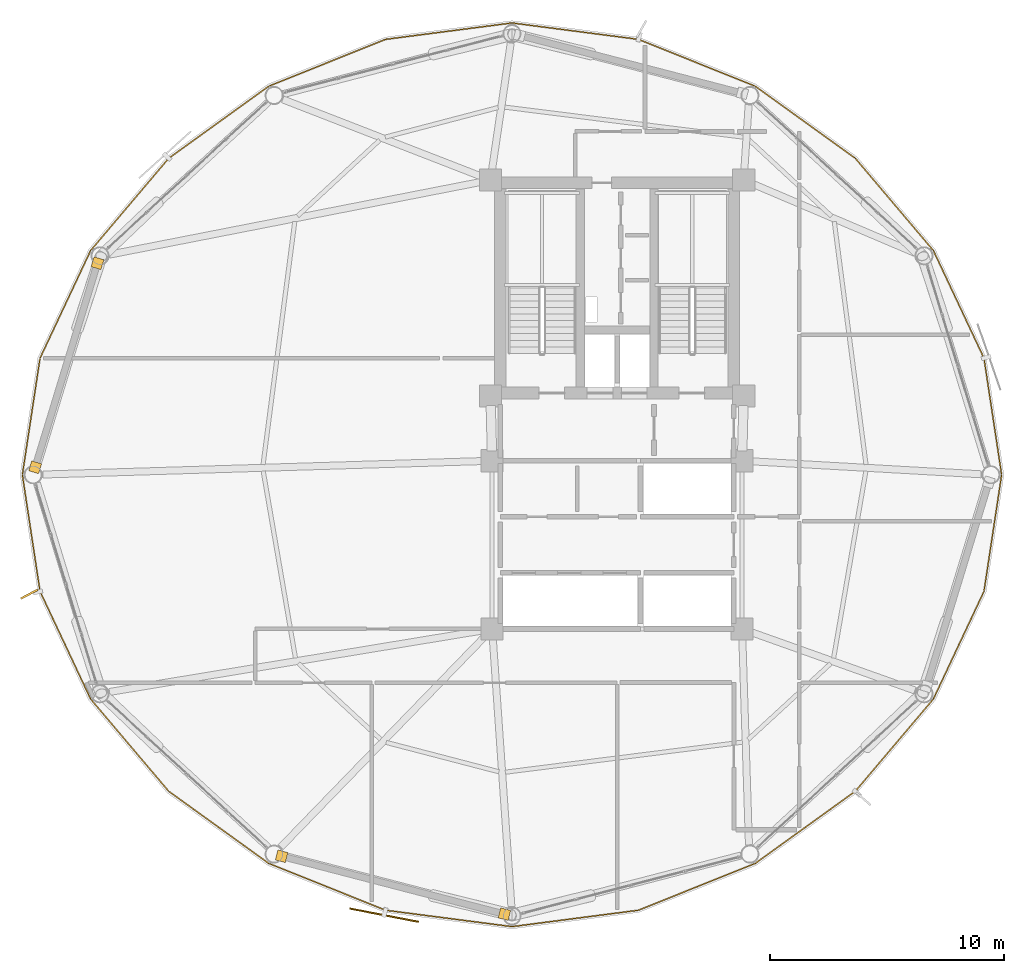
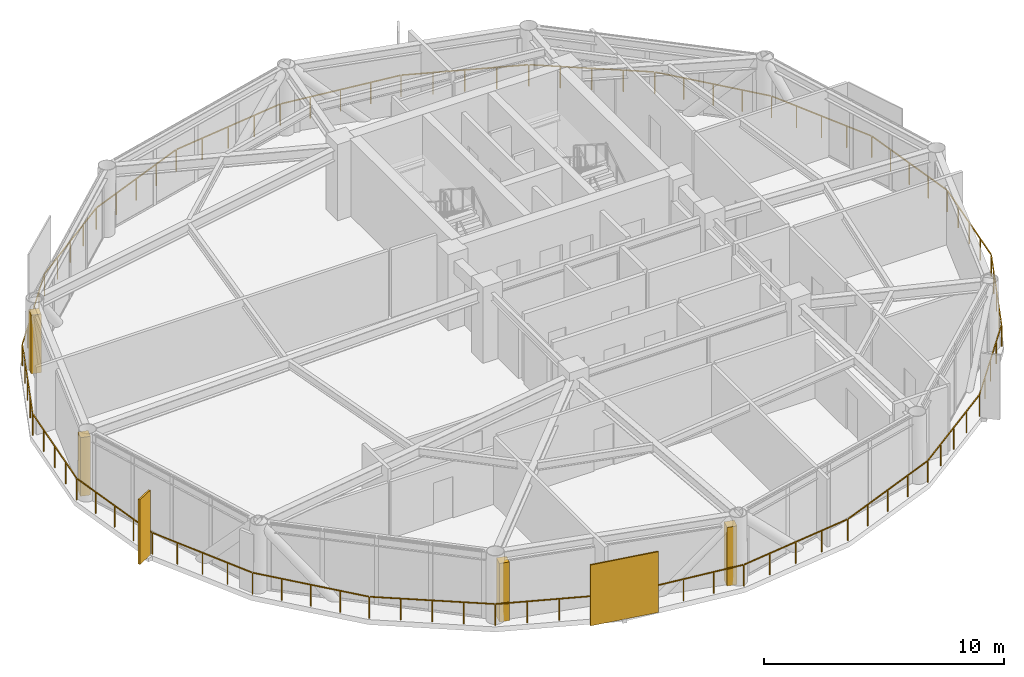
# One storey, part 24 of 26: 4 coverings, 2 shading devices, 1 railing.
"""IFC4 building model written with IfcOpenShell, lengths in metres."""

from ifc_helpers import new_model, si_unit, direction, frame, origin, origin_2d, place, context, subcontext, project, spatial, rectangle, extrude, source, transform, mapped, material, layer, layer_set, type_object, type_shapes, element, save


model = new_model("IFC4")

# Units and contexts
model_context = context("Model", 3, precision=1e-05, world=origin(), true_north=direction((0.0, 1.0)))
body_context = subcontext(model_context, "Body", "Model", "MODEL_VIEW")
ifc_project = project(units=[si_unit("LENGTHUNIT", "METRE"), si_unit("AREAUNIT", "SQUARE_METRE"), si_unit("VOLUMEUNIT", "CUBIC_METRE"), si_unit("PLANEANGLEUNIT", "RADIAN"), si_unit("MASSUNIT", "GRAM", prefix="KILO")], contexts=[model_context])

# Site, building, storey
site_placement = place(None, origin())
site = spatial("IfcSite", under=ifc_project, at=site_placement, CompositionType="ELEMENT")
building_placement = place(site_placement, origin())
building = spatial("IfcBuilding", under=site, at=building_placement, Name="Varnakorn Sky Granary", CompositionType="ELEMENT")
storey_placement = place(building_placement, frame((0.0, 0.0, 165.60009765625)))
storey = spatial("IfcBuildingStorey", under=building, at=storey_placement, Name="L41", CompositionType="ELEMENT", Elevation=165.60009765625)

# Railing
ifc_material = material(Name="Anodised Bronze Aluminium Alloy 6063-T6", Category="aluminium")
railing_type = type_object("IfcRailingType", Name="RL-BAL-1120", PredefinedType="BALUSTRADE", material=ifc_material)
railing_placement = place(storey_placement, frame((19.4658203125, 0.0, 0.0)))
element("IfcRailing", 1, at=railing_placement, inside=storey, type_object=railing_type, Name="Perimeter Slab-Edge Safety Guard L41", PredefinedType="BALUSTRADE", context=body_context, shape_type="SweptSolid", body=[
    extrude(rectangle(XDim=0.048095703125, YDim=0.048095703125, at=origin_2d()), frame((-0.004150390625, -0.027587890625, 1.09619140625), z_axis=(-0.149884153418, -0.988703565562, 0.0), x_axis=(0.988703565562, -0.149884153418, 0.0)), (0.0, 0.0, 1.0), 4.993408203125),
    extrude(rectangle(XDim=0.048095703125, YDim=0.048095703125, at=origin_2d()), frame((-0.768798828125, -5.017822265625, 1.09619140625), z_axis=(-0.425319129806, -0.905043445267, 0.0), x_axis=(0.905043445267, -0.425319129806, 0.0)), (0.0, 0.0, 1.0), 5.037353515625),
    extrude(rectangle(XDim=0.048095703125, YDim=0.048095703125, at=origin_2d()), frame((-2.941162109375, -9.62353515625, 1.09619140625), z_axis=(-0.64602898165, -0.763312881372, 0.0), x_axis=(0.763312881372, -0.64602898165, 0.0)), (0.0, 0.0, 1.0), 5.116943359375),
    extrude(rectangle(XDim=0.048095703125, YDim=0.048095703125, at=origin_2d()), frame((-6.28759765625, -13.56689453125, 1.09619140625), z_axis=(-0.811301853092, -0.584627490946, 0.0), x_axis=(0.584627490946, -0.811301853092, 0.0)), (0.0, 0.0, 1.0), 5.2236328125),
    extrude(rectangle(XDim=0.048095703125, YDim=0.048095703125, at=origin_2d()), frame((-10.57421875, -16.647705078125, 1.09619140625), z_axis=(-0.928079426503, -0.372382301005, 0.0), x_axis=(0.372382301005, -0.928079426503, 0.0)), (0.0, 0.0, 1.0), 5.333740234375),
    extrude(rectangle(XDim=0.048095703125, YDim=0.048095703125, at=origin_2d()), frame((-15.578369140625, -18.64794921875, 1.09619140625), z_axis=(-0.991681488675, -0.128716063563, 0.0), x_axis=(0.128716063563, -0.991681488675, 0.0)), (0.0, 0.0, 1.0), 5.40478515625),
    extrude(rectangle(XDim=0.048095703125, YDim=0.048095703125, at=origin_2d()), frame((-20.99365234375, -19.343505859375, 1.09619140625), z_axis=(-0.991681488675, 0.128716063563, 0.0), x_axis=(-0.128716063563, -0.991681488675, 0.0)), (0.0, 0.0, 1.0), 5.40478515625),
    extrude(rectangle(XDim=0.048095703125, YDim=0.048095703125, at=origin_2d()), frame((-26.406982421875, -18.6337890625, 1.09619140625), z_axis=(-0.928079426503, 0.372382301005, 0.0), x_axis=(-0.372382301005, -0.928079426503, 0.0)), (0.0, 0.0, 1.0), 5.333740234375),
    extrude(rectangle(XDim=0.048095703125, YDim=0.048095703125, at=origin_2d()), frame((-31.406005859375, -16.620849609375, 1.09619140625), z_axis=(-0.811301853092, 0.584627490946, 0.0), x_axis=(-0.584627490946, -0.811301853092, 0.0)), (0.0, 0.0, 1.0), 5.2236328125),
    extrude(rectangle(XDim=0.048095703125, YDim=0.048095703125, at=origin_2d()), frame((-35.684814453125, -13.529052734375, 1.09619140625), z_axis=(-0.64602898165, 0.763312881372, 0.0), x_axis=(-0.763312881372, -0.64602898165, 0.0)), (0.0, 0.0, 1.0), 5.116943359375),
    extrude(rectangle(XDim=0.048095703125, YDim=0.048095703125, at=origin_2d()), frame((-39.0205078125, -9.57666015625, 1.09619140625), z_axis=(-0.425319129806, 0.905043445267, 0.0), x_axis=(-0.905043445267, -0.425319129806, 0.0)), (0.0, 0.0, 1.0), 5.037353515625),
    extrude(rectangle(XDim=0.048095703125, YDim=0.048095703125, at=origin_2d()), frame((-41.178955078125, -4.96484375, 1.09619140625), z_axis=(-0.149884153418, 0.988703565562, 0.0), x_axis=(-0.988703565562, -0.149884153418, 0.0)), (0.0, 0.0, 1.0), 4.993408203125),
    extrude(rectangle(XDim=0.048095703125, YDim=0.048095703125, at=origin_2d()), frame((-41.927490234375, 0.027587890625, 1.09619140625), z_axis=(0.149884153418, 0.988703565562, 0.0), x_axis=(-0.988703565562, 0.149884153418, 0.0)), (0.0, 0.0, 1.0), 4.993408203125),
    extrude(rectangle(XDim=0.048095703125, YDim=0.048095703125, at=origin_2d()), frame((-41.162841796875, 5.017822265625, 1.09619140625), z_axis=(0.425319129806, 0.905043445267, 0.0), x_axis=(-0.905043445267, 0.425319129806, 0.0)), (0.0, 0.0, 1.0), 5.037353515625),
    extrude(rectangle(XDim=0.048095703125, YDim=0.048095703125, at=origin_2d()), frame((-38.990478515625, 9.62353515625, 1.09619140625), z_axis=(0.64602898165, 0.763312881372, 0.0), x_axis=(-0.763312881372, 0.64602898165, 0.0)), (0.0, 0.0, 1.0), 5.116943359375),
    extrude(rectangle(XDim=0.048095703125, YDim=0.048095703125, at=origin_2d()), frame((-35.64404296875, 13.56689453125, 1.09619140625), z_axis=(0.811301853092, 0.584627490946, 0.0), x_axis=(-0.584627490946, 0.811301853092, 0.0)), (0.0, 0.0, 1.0), 5.2236328125),
    extrude(rectangle(XDim=0.048095703125, YDim=0.048095703125, at=origin_2d()), frame((-31.357421875, 16.647705078125, 1.09619140625), z_axis=(0.928079426503, 0.372382301005, 0.0), x_axis=(-0.372382301005, 0.928079426503, 0.0)), (0.0, 0.0, 1.0), 5.333740234375),
    extrude(rectangle(XDim=0.048095703125, YDim=0.048095703125, at=origin_2d()), frame((-26.353271484375, 18.64794921875, 1.09619140625), z_axis=(0.991681488675, 0.128716063563, 0.0), x_axis=(-0.128716063563, 0.991681488675, 0.0)), (0.0, 0.0, 1.0), 5.40478515625),
    extrude(rectangle(XDim=0.048095703125, YDim=0.048095703125, at=origin_2d()), frame((-20.93798828125, 19.343505859375, 1.09619140625), z_axis=(0.991681488675, -0.128716063563, 0.0), x_axis=(0.128716063563, 0.991681488675, 0.0)), (0.0, 0.0, 1.0), 5.40478515625),
    extrude(rectangle(XDim=0.048095703125, YDim=0.048095703125, at=origin_2d()), frame((-15.524658203125, 18.6337890625, 1.09619140625), z_axis=(0.928079426503, -0.372382301005, 0.0), x_axis=(0.372382301005, 0.928079426503, 0.0)), (0.0, 0.0, 1.0), 5.333740234375),
    extrude(rectangle(XDim=0.048095703125, YDim=0.048095703125, at=origin_2d()), frame((-10.525634765625, 16.620849609375, 1.09619140625), z_axis=(0.811301853092, -0.584627490946, 0.0), x_axis=(0.584627490946, 0.811301853092, 0.0)), (0.0, 0.0, 1.0), 5.2236328125),
    extrude(rectangle(XDim=0.048095703125, YDim=0.048095703125, at=origin_2d()), frame((-6.246826171875, 13.529052734375, 1.09619140625), z_axis=(0.64602898165, -0.763312881372, 0.0), x_axis=(0.763312881372, 0.64602898165, 0.0)), (0.0, 0.0, 1.0), 5.116943359375),
    extrude(rectangle(XDim=0.048095703125, YDim=0.048095703125, at=origin_2d()), frame((-2.9111328125, 9.57666015625, 1.09619140625), z_axis=(0.425319129806, -0.905043445267, 0.0), x_axis=(0.905043445267, 0.425319129806, 0.0)), (0.0, 0.0, 1.0), 5.037353515625),
    extrude(rectangle(XDim=0.048095703125, YDim=0.048095703125, at=origin_2d()), frame((-0.752685546875, 4.96484375, 1.09619140625), z_axis=(0.149884153418, -0.988703565562, 0.0), x_axis=(0.988703565562, 0.149884153418, 0.0)), (0.0, 0.0, 1.0), 4.993408203125),
    extrude(rectangle(XDim=0.0419921875, YDim=0.0419921875, at=origin_2d()), origin(), (0.0, 0.0, 1.0), 1.068115234375),
    extrude(rectangle(XDim=0.0419921875, YDim=0.0419921875, at=origin_2d()), frame((-0.189208984375, -1.248046875, 0.0)), (0.0, 0.0, 1.0), 1.068115234375),
    extrude(rectangle(XDim=0.0419921875, YDim=0.0419921875, at=origin_2d()), frame((-0.37841796875, -2.49609375, 0.0)), (0.0, 0.0, 1.0), 1.068115234375),
    extrude(rectangle(XDim=0.0419921875, YDim=0.0419921875, at=origin_2d()), frame((-0.567626953125, -3.744384765625, 0.0)), (0.0, 0.0, 1.0), 1.068115234375),
    extrude(rectangle(XDim=0.0419921875, YDim=0.0419921875, at=origin_2d()), frame((-0.7568359375, -4.992431640625, 0.0)), (0.0, 0.0, 1.0), 1.068115234375),
    extrude(rectangle(XDim=0.0419921875, YDim=0.0419921875, at=origin_2d()), frame((-1.29833984375, -6.144775390625, 0.0)), (0.0, 0.0, 1.0), 1.068115234375),
    extrude(rectangle(XDim=0.0419921875, YDim=0.0419921875, at=origin_2d()), frame((-1.83984375, -7.29736328125, 0.0)), (0.0, 0.0, 1.0), 1.068115234375),
    extrude(rectangle(XDim=0.0419921875, YDim=0.0419921875, at=origin_2d()), frame((-2.381591796875, -8.44970703125, 0.0)), (0.0, 0.0, 1.0), 1.068115234375),
    extrude(rectangle(XDim=0.0419921875, YDim=0.0419921875, at=origin_2d()), frame((-2.923095703125, -9.60205078125, 0.0)), (0.0, 0.0, 1.0), 1.068115234375),
    extrude(rectangle(XDim=0.0419921875, YDim=0.0419921875, at=origin_2d()), frame((-3.758544921875, -10.589111328125, 0.0)), (0.0, 0.0, 1.0), 1.068115234375),
    extrude(rectangle(XDim=0.0419921875, YDim=0.0419921875, at=origin_2d()), frame((-4.593994140625, -11.576171875, 0.0)), (0.0, 0.0, 1.0), 1.068115234375),
    extrude(rectangle(XDim=0.0419921875, YDim=0.0419921875, at=origin_2d()), frame((-5.429443359375, -12.5634765625, 0.0)), (0.0, 0.0, 1.0), 1.068115234375),
    extrude(rectangle(XDim=0.0419921875, YDim=0.0419921875, at=origin_2d()), frame((-6.264892578125, -13.550537109375, 0.0)), (0.0, 0.0, 1.0), 1.068115234375),
    extrude(rectangle(XDim=0.0419921875, YDim=0.0419921875, at=origin_2d()), frame((-7.335693359375, -14.322265625, 0.0)), (0.0, 0.0, 1.0), 1.068115234375),
    extrude(rectangle(XDim=0.0419921875, YDim=0.0419921875, at=origin_2d()), frame((-8.40673828125, -15.09375, 0.0)), (0.0, 0.0, 1.0), 1.068115234375),
    extrude(rectangle(XDim=0.0419921875, YDim=0.0419921875, at=origin_2d()), frame((-9.4775390625, -15.865478515625, 0.0)), (0.0, 0.0, 1.0), 1.068115234375),
    extrude(rectangle(XDim=0.0419921875, YDim=0.0419921875, at=origin_2d()), frame((-10.54833984375, -16.63720703125, 0.0)), (0.0, 0.0, 1.0), 1.068115234375),
    extrude(rectangle(XDim=0.0419921875, YDim=0.0419921875, at=origin_2d()), frame((-11.798828125, -17.138916015625, 0.0)), (0.0, 0.0, 1.0), 1.068115234375),
    extrude(rectangle(XDim=0.0419921875, YDim=0.0419921875, at=origin_2d()), frame((-13.04931640625, -17.640625, 0.0)), (0.0, 0.0, 1.0), 1.068115234375),
    extrude(rectangle(XDim=0.0419921875, YDim=0.0419921875, at=origin_2d()), frame((-14.300048828125, -18.142578125, 0.0)), (0.0, 0.0, 1.0), 1.068115234375),
    extrude(rectangle(XDim=0.0419921875, YDim=0.0419921875, at=origin_2d()), frame((-15.550537109375, -18.644287109375, 0.0)), (0.0, 0.0, 1.0), 1.068115234375),
    extrude(rectangle(XDim=0.0419921875, YDim=0.0419921875, at=origin_2d()), frame((-16.904296875, -18.820068359375, 0.0)), (0.0, 0.0, 1.0), 1.068115234375),
    extrude(rectangle(XDim=0.0419921875, YDim=0.0419921875, at=origin_2d()), frame((-18.25830078125, -18.99560546875, 0.0)), (0.0, 0.0, 1.0), 1.068115234375),
    extrude(rectangle(XDim=0.0419921875, YDim=0.0419921875, at=origin_2d()), frame((-19.612060546875, -19.17138671875, 0.0)), (0.0, 0.0, 1.0), 1.068115234375),
    extrude(rectangle(XDim=0.0419921875, YDim=0.0419921875, at=origin_2d()), frame((-20.9658203125, -19.34716796875, 0.0)), (0.0, 0.0, 1.0), 1.068115234375),
    extrude(rectangle(XDim=0.0419921875, YDim=0.0419921875, at=origin_2d()), frame((-22.319580078125, -19.17138671875, 0.0)), (0.0, 0.0, 1.0), 1.068115234375),
    extrude(rectangle(XDim=0.0419921875, YDim=0.0419921875, at=origin_2d()), frame((-23.67333984375, -18.99560546875, 0.0)), (0.0, 0.0, 1.0), 1.068115234375),
    extrude(rectangle(XDim=0.0419921875, YDim=0.0419921875, at=origin_2d()), frame((-25.02734375, -18.820068359375, 0.0)), (0.0, 0.0, 1.0), 1.068115234375),
    extrude(rectangle(XDim=0.0419921875, YDim=0.0419921875, at=origin_2d()), frame((-26.381103515625, -18.644287109375, 0.0)), (0.0, 0.0, 1.0), 1.068115234375),
    extrude(rectangle(XDim=0.0419921875, YDim=0.0419921875, at=origin_2d()), frame((-27.631591796875, -18.142578125, 0.0)), (0.0, 0.0, 1.0), 1.068115234375),
    extrude(rectangle(XDim=0.0419921875, YDim=0.0419921875, at=origin_2d()), frame((-28.88232421875, -17.640625, 0.0)), (0.0, 0.0, 1.0), 1.068115234375),
    extrude(rectangle(XDim=0.0419921875, YDim=0.0419921875, at=origin_2d()), frame((-30.1328125, -17.138916015625, 0.0)), (0.0, 0.0, 1.0), 1.068115234375),
    extrude(rectangle(XDim=0.0419921875, YDim=0.0419921875, at=origin_2d()), frame((-31.38330078125, -16.63720703125, 0.0)), (0.0, 0.0, 1.0), 1.068115234375),
    extrude(rectangle(XDim=0.0419921875, YDim=0.0419921875, at=origin_2d()), frame((-32.4541015625, -15.865478515625, 0.0)), (0.0, 0.0, 1.0), 1.068115234375),
    extrude(rectangle(XDim=0.0419921875, YDim=0.0419921875, at=origin_2d()), frame((-33.52490234375, -15.09375, 0.0)), (0.0, 0.0, 1.0), 1.068115234375),
    extrude(rectangle(XDim=0.0419921875, YDim=0.0419921875, at=origin_2d()), frame((-34.595947265625, -14.322265625, 0.0)), (0.0, 0.0, 1.0), 1.068115234375),
    extrude(rectangle(XDim=0.0419921875, YDim=0.0419921875, at=origin_2d()), frame((-35.666748046875, -13.550537109375, 0.0)), (0.0, 0.0, 1.0), 1.068115234375),
    extrude(rectangle(XDim=0.0419921875, YDim=0.0419921875, at=origin_2d()), frame((-36.502197265625, -12.5634765625, 0.0)), (0.0, 0.0, 1.0), 1.068115234375),
    extrude(rectangle(XDim=0.0419921875, YDim=0.0419921875, at=origin_2d()), frame((-37.337646484375, -11.576171875, 0.0)), (0.0, 0.0, 1.0), 1.068115234375),
    extrude(rectangle(XDim=0.0419921875, YDim=0.0419921875, at=origin_2d()), frame((-38.173095703125, -10.589111328125, 0.0)), (0.0, 0.0, 1.0), 1.068115234375),
    extrude(rectangle(XDim=0.0419921875, YDim=0.0419921875, at=origin_2d()), frame((-39.008544921875, -9.60205078125, 0.0)), (0.0, 0.0, 1.0), 1.068115234375),
    extrude(rectangle(XDim=0.0419921875, YDim=0.0419921875, at=origin_2d()), frame((-39.550048828125, -8.44970703125, 0.0)), (0.0, 0.0, 1.0), 1.068115234375),
    extrude(rectangle(XDim=0.0419921875, YDim=0.0419921875, at=origin_2d()), frame((-40.091796875, -7.29736328125, 0.0)), (0.0, 0.0, 1.0), 1.068115234375),
    extrude(rectangle(XDim=0.0419921875, YDim=0.0419921875, at=origin_2d()), frame((-40.63330078125, -6.144775390625, 0.0)), (0.0, 0.0, 1.0), 1.068115234375),
    extrude(rectangle(XDim=0.0419921875, YDim=0.0419921875, at=origin_2d()), frame((-41.1748046875, -4.992431640625, 0.0)), (0.0, 0.0, 1.0), 1.068115234375),
    extrude(rectangle(XDim=0.0419921875, YDim=0.0419921875, at=origin_2d()), frame((-41.364013671875, -3.744384765625, 0.0)), (0.0, 0.0, 1.0), 1.068115234375),
    extrude(rectangle(XDim=0.0419921875, YDim=0.0419921875, at=origin_2d()), frame((-41.55322265625, -2.49609375, 0.0)), (0.0, 0.0, 1.0), 1.068115234375),
    extrude(rectangle(XDim=0.0419921875, YDim=0.0419921875, at=origin_2d()), frame((-41.742431640625, -1.248046875, 0.0)), (0.0, 0.0, 1.0), 1.068115234375),
    extrude(rectangle(XDim=0.0419921875, YDim=0.0419921875, at=origin_2d()), frame((-41.931640625, 0.0, 0.0)), (0.0, 0.0, 1.0), 1.068115234375),
    extrude(rectangle(XDim=0.0419921875, YDim=0.0419921875, at=origin_2d()), frame((-41.742431640625, 1.248046875, 0.0)), (0.0, 0.0, 1.0), 1.068115234375),
    extrude(rectangle(XDim=0.0419921875, YDim=0.0419921875, at=origin_2d()), frame((-41.55322265625, 2.49609375, 0.0)), (0.0, 0.0, 1.0), 1.068115234375),
    extrude(rectangle(XDim=0.0419921875, YDim=0.0419921875, at=origin_2d()), frame((-41.364013671875, 3.744384765625, 0.0)), (0.0, 0.0, 1.0), 1.068115234375),
    extrude(rectangle(XDim=0.0419921875, YDim=0.0419921875, at=origin_2d()), frame((-41.1748046875, 4.992431640625, 0.0)), (0.0, 0.0, 1.0), 1.068115234375),
    extrude(rectangle(XDim=0.0419921875, YDim=0.0419921875, at=origin_2d()), frame((-40.63330078125, 6.144775390625, 0.0)), (0.0, 0.0, 1.0), 1.068115234375),
    extrude(rectangle(XDim=0.0419921875, YDim=0.0419921875, at=origin_2d()), frame((-40.091796875, 7.29736328125, 0.0)), (0.0, 0.0, 1.0), 1.068115234375),
    extrude(rectangle(XDim=0.0419921875, YDim=0.0419921875, at=origin_2d()), frame((-39.550048828125, 8.44970703125, 0.0)), (0.0, 0.0, 1.0), 1.068115234375),
    extrude(rectangle(XDim=0.0419921875, YDim=0.0419921875, at=origin_2d()), frame((-39.008544921875, 9.60205078125, 0.0)), (0.0, 0.0, 1.0), 1.068115234375),
    extrude(rectangle(XDim=0.0419921875, YDim=0.0419921875, at=origin_2d()), frame((-38.173095703125, 10.589111328125, 0.0)), (0.0, 0.0, 1.0), 1.068115234375),
    extrude(rectangle(XDim=0.0419921875, YDim=0.0419921875, at=origin_2d()), frame((-37.337646484375, 11.576171875, 0.0)), (0.0, 0.0, 1.0), 1.068115234375),
    extrude(rectangle(XDim=0.0419921875, YDim=0.0419921875, at=origin_2d()), frame((-36.502197265625, 12.5634765625, 0.0)), (0.0, 0.0, 1.0), 1.068115234375),
    extrude(rectangle(XDim=0.0419921875, YDim=0.0419921875, at=origin_2d()), frame((-35.666748046875, 13.550537109375, 0.0)), (0.0, 0.0, 1.0), 1.068115234375),
    extrude(rectangle(XDim=0.0419921875, YDim=0.0419921875, at=origin_2d()), frame((-34.595947265625, 14.322265625, 0.0)), (0.0, 0.0, 1.0), 1.068115234375),
    extrude(rectangle(XDim=0.0419921875, YDim=0.0419921875, at=origin_2d()), frame((-33.52490234375, 15.09375, 0.0)), (0.0, 0.0, 1.0), 1.068115234375),
    extrude(rectangle(XDim=0.0419921875, YDim=0.0419921875, at=origin_2d()), frame((-32.4541015625, 15.865478515625, 0.0)), (0.0, 0.0, 1.0), 1.068115234375),
    extrude(rectangle(XDim=0.0419921875, YDim=0.0419921875, at=origin_2d()), frame((-31.38330078125, 16.63720703125, 0.0)), (0.0, 0.0, 1.0), 1.068115234375),
    extrude(rectangle(XDim=0.0419921875, YDim=0.0419921875, at=origin_2d()), frame((-30.1328125, 17.138916015625, 0.0)), (0.0, 0.0, 1.0), 1.068115234375),
    extrude(rectangle(XDim=0.0419921875, YDim=0.0419921875, at=origin_2d()), frame((-28.88232421875, 17.640625, 0.0)), (0.0, 0.0, 1.0), 1.068115234375),
    extrude(rectangle(XDim=0.0419921875, YDim=0.0419921875, at=origin_2d()), frame((-27.631591796875, 18.142578125, 0.0)), (0.0, 0.0, 1.0), 1.068115234375),
    extrude(rectangle(XDim=0.0419921875, YDim=0.0419921875, at=origin_2d()), frame((-26.381103515625, 18.644287109375, 0.0)), (0.0, 0.0, 1.0), 1.068115234375),
    extrude(rectangle(XDim=0.0419921875, YDim=0.0419921875, at=origin_2d()), frame((-25.02734375, 18.820068359375, 0.0)), (0.0, 0.0, 1.0), 1.068115234375),
    extrude(rectangle(XDim=0.0419921875, YDim=0.0419921875, at=origin_2d()), frame((-23.67333984375, 18.99560546875, 0.0)), (0.0, 0.0, 1.0), 1.068115234375),
    extrude(rectangle(XDim=0.0419921875, YDim=0.0419921875, at=origin_2d()), frame((-22.319580078125, 19.17138671875, 0.0)), (0.0, 0.0, 1.0), 1.068115234375),
    extrude(rectangle(XDim=0.0419921875, YDim=0.0419921875, at=origin_2d()), frame((-20.9658203125, 19.34716796875, 0.0)), (0.0, 0.0, 1.0), 1.068115234375),
    extrude(rectangle(XDim=0.0419921875, YDim=0.0419921875, at=origin_2d()), frame((-19.612060546875, 19.17138671875, 0.0)), (0.0, 0.0, 1.0), 1.068115234375),
    extrude(rectangle(XDim=0.0419921875, YDim=0.0419921875, at=origin_2d()), frame((-18.25830078125, 18.99560546875, 0.0)), (0.0, 0.0, 1.0), 1.068115234375),
    extrude(rectangle(XDim=0.0419921875, YDim=0.0419921875, at=origin_2d()), frame((-16.904296875, 18.820068359375, 0.0)), (0.0, 0.0, 1.0), 1.068115234375),
    extrude(rectangle(XDim=0.0419921875, YDim=0.0419921875, at=origin_2d()), frame((-15.550537109375, 18.644287109375, 0.0)), (0.0, 0.0, 1.0), 1.068115234375),
    extrude(rectangle(XDim=0.0419921875, YDim=0.0419921875, at=origin_2d()), frame((-14.300048828125, 18.142578125, 0.0)), (0.0, 0.0, 1.0), 1.068115234375),
    extrude(rectangle(XDim=0.0419921875, YDim=0.0419921875, at=origin_2d()), frame((-13.04931640625, 17.640625, 0.0)), (0.0, 0.0, 1.0), 1.068115234375),
    extrude(rectangle(XDim=0.0419921875, YDim=0.0419921875, at=origin_2d()), frame((-11.798828125, 17.138916015625, 0.0)), (0.0, 0.0, 1.0), 1.068115234375),
    extrude(rectangle(XDim=0.0419921875, YDim=0.0419921875, at=origin_2d()), frame((-10.54833984375, 16.63720703125, 0.0)), (0.0, 0.0, 1.0), 1.068115234375),
    extrude(rectangle(XDim=0.0419921875, YDim=0.0419921875, at=origin_2d()), frame((-9.4775390625, 15.865478515625, 0.0)), (0.0, 0.0, 1.0), 1.068115234375),
    extrude(rectangle(XDim=0.0419921875, YDim=0.0419921875, at=origin_2d()), frame((-8.40673828125, 15.09375, 0.0)), (0.0, 0.0, 1.0), 1.068115234375),
    extrude(rectangle(XDim=0.0419921875, YDim=0.0419921875, at=origin_2d()), frame((-7.335693359375, 14.322265625, 0.0)), (0.0, 0.0, 1.0), 1.068115234375),
    extrude(rectangle(XDim=0.0419921875, YDim=0.0419921875, at=origin_2d()), frame((-6.264892578125, 13.550537109375, 0.0)), (0.0, 0.0, 1.0), 1.068115234375),
    extrude(rectangle(XDim=0.0419921875, YDim=0.0419921875, at=origin_2d()), frame((-5.429443359375, 12.5634765625, 0.0)), (0.0, 0.0, 1.0), 1.068115234375),
    extrude(rectangle(XDim=0.0419921875, YDim=0.0419921875, at=origin_2d()), frame((-4.593994140625, 11.576171875, 0.0)), (0.0, 0.0, 1.0), 1.068115234375),
    extrude(rectangle(XDim=0.0419921875, YDim=0.0419921875, at=origin_2d()), frame((-3.758544921875, 10.589111328125, 0.0)), (0.0, 0.0, 1.0), 1.068115234375),
    extrude(rectangle(XDim=0.0419921875, YDim=0.0419921875, at=origin_2d()), frame((-2.923095703125, 9.60205078125, 0.0)), (0.0, 0.0, 1.0), 1.068115234375),
    extrude(rectangle(XDim=0.0419921875, YDim=0.0419921875, at=origin_2d()), frame((-2.381591796875, 8.44970703125, 0.0)), (0.0, 0.0, 1.0), 1.068115234375),
    extrude(rectangle(XDim=0.0419921875, YDim=0.0419921875, at=origin_2d()), frame((-1.83984375, 7.29736328125, 0.0)), (0.0, 0.0, 1.0), 1.068115234375),
    extrude(rectangle(XDim=0.0419921875, YDim=0.0419921875, at=origin_2d()), frame((-1.29833984375, 6.144775390625, 0.0)), (0.0, 0.0, 1.0), 1.068115234375),
    extrude(rectangle(XDim=0.0419921875, YDim=0.0419921875, at=origin_2d()), frame((-0.7568359375, 4.992431640625, 0.0)), (0.0, 0.0, 1.0), 1.068115234375),
    extrude(rectangle(XDim=0.0419921875, YDim=0.0419921875, at=origin_2d()), frame((-0.567626953125, 3.744384765625, 0.0)), (0.0, 0.0, 1.0), 1.068115234375),
    extrude(rectangle(XDim=0.0419921875, YDim=0.0419921875, at=origin_2d()), frame((-0.37841796875, 2.49609375, 0.0)), (0.0, 0.0, 1.0), 1.068115234375),
    extrude(rectangle(XDim=0.0419921875, YDim=0.0419921875, at=origin_2d()), frame((-0.189208984375, 1.248046875, 0.0)), (0.0, 0.0, 1.0), 1.068115234375),
])

# Coverings
ifc_layer = layer(ifc_material, 0.050048828125, Name="Anodised Bronze Aluminium Alloy 6063-T6")
ifc_layer_set = layer_set([ifc_layer], Name="Anodised Bronze Aluminium Alloy 6063-T6")
covering_type = type_object("IfcCoveringType", Name="CV-CLAD-50", PredefinedType="CLADDING", material=ifc_layer_set)
shared_shape_1 = source(origin(), body_context, "Body", "SweptSolid", [
    extrude(rectangle(XDim=0.43994140625, YDim=0.43994140625, at=origin_2d()), origin(), (0.0, 0.0, 1.0), 2.989990234375),
])
type_shapes(covering_type, [shared_shape_1])
for number, where, z_axis, x_axis, name in (
    (2, (-21.918701171875, 0.3212890625, -0.02001953125), (0.0, 0.0, 1.0), (0.292204793604, 0.956355769886, 0.0), "Bronze Corner Pilaster Closure L41-P06-A"),
    (3, (-19.24951171875, 9.060302734375, -0.02001953125), (0.0, 0.0, 1.0), (0.292204793604, 0.956355769886, 0.0), "Bronze Corner Pilaster Closure L41-P06-B"),
    (4, (-1.8251953125, -18.8134765625, -0.02001953125), (0.0, 0.0, 1.0), (-0.967841021032, 0.251562632376, 0.0), "Bronze Corner Pilaster Closure L41-P09-A"),
    (5, (-11.36572265625, -16.333740234375, -0.02001953125), (0.0, 0.0, 1.0), (-0.967841021032, 0.251562632376, 0.0), "Bronze Corner Pilaster Closure L41-P09-B"),
):
    element("IfcCovering", number, at=place(storey_placement, frame(where, z_axis=z_axis, x_axis=x_axis)), inside=storey, type_object=covering_type, Name=name, PredefinedType="CLADDING", context=body_context, shape_type="MappedRepresentation", body=[
        mapped(shared_shape_1, transform((0.0, 0.0, 0.0), x_axis=(1.0, 0.0, 0.0), y_axis=(0.0, 1.0, 0.0), z_axis=(0.0, 0.0, 1.0), scale=1.0)),
    ])

# Shading devices
shading_device_type_1 = type_object("IfcShadingDeviceType", Name="SH-SCR-02", PredefinedType="USERDEFINED", material=ifc_material)
shared_shape_2 = source(origin(), body_context, "Body", "SweptSolid", [
    extrude(rectangle(XDim=3.0, YDim=0.06494140625, at=origin_2d()), origin(), (0.0, 0.0, 1.0), 3.10009765625),
])
type_shapes(shading_device_type_1, [shared_shape_2])
shading_device_1_placement = place(storey_placement, frame((-6.976806640625, -18.8564453125, -0.0400390625), z_axis=(0.0, 0.0, 1.0), x_axis=(0.981807653577, -0.189878201429, 0.0)))
element("IfcShadingDevice", 6, at=shading_device_1_placement, inside=storey, type_object=shading_device_type_1, Name="Perforated Bronze Solar Screen Panel SCREEN L41-09", ObjectType="SCREEN", PredefinedType="USERDEFINED", context=body_context, shape_type="MappedRepresentation", body=[
    mapped(shared_shape_2, transform((0.0, 0.0, 0.0), x_axis=(1.0, 0.0, 0.0), y_axis=(0.0, 1.0, 0.0), z_axis=(0.0, 0.0, 1.0), scale=1.0)),
])
shading_device_type_2 = type_object("IfcShadingDeviceType", Name="SH-FIN-02", PredefinedType="USERDEFINED", material=ifc_material)
shared_shape_3 = source(origin(), body_context, "Body", "SweptSolid", [
    extrude(rectangle(XDim=0.0849609375, YDim=0.820068359375, at=origin_2d()), origin(), (0.0, 0.0, 1.0), 3.300048828125),
])
type_shapes(shading_device_type_2, [shared_shape_3])
shading_device_2_placement = place(storey_placement, frame((-22.16552734375, -5.1083984375, -0.0400390625), z_axis=(0.0, 0.0, 1.0), x_axis=(0.470119895689, -0.882602562696, 0.0)))
element("IfcShadingDevice", 7, at=shading_device_2_placement, inside=storey, type_object=shading_device_type_2, Name="Bronze Solar-Tracking Vertical Blade FIN L41-07", ObjectType="FIN", PredefinedType="USERDEFINED", context=body_context, shape_type="MappedRepresentation", body=[
    mapped(shared_shape_3, transform((0.0, 0.0, 0.0), x_axis=(1.0, 0.0, 0.0), y_axis=(0.0, 1.0, 0.0), z_axis=(0.0, 0.0, 1.0), scale=1.0)),
])

save(model, "model.ifc")
